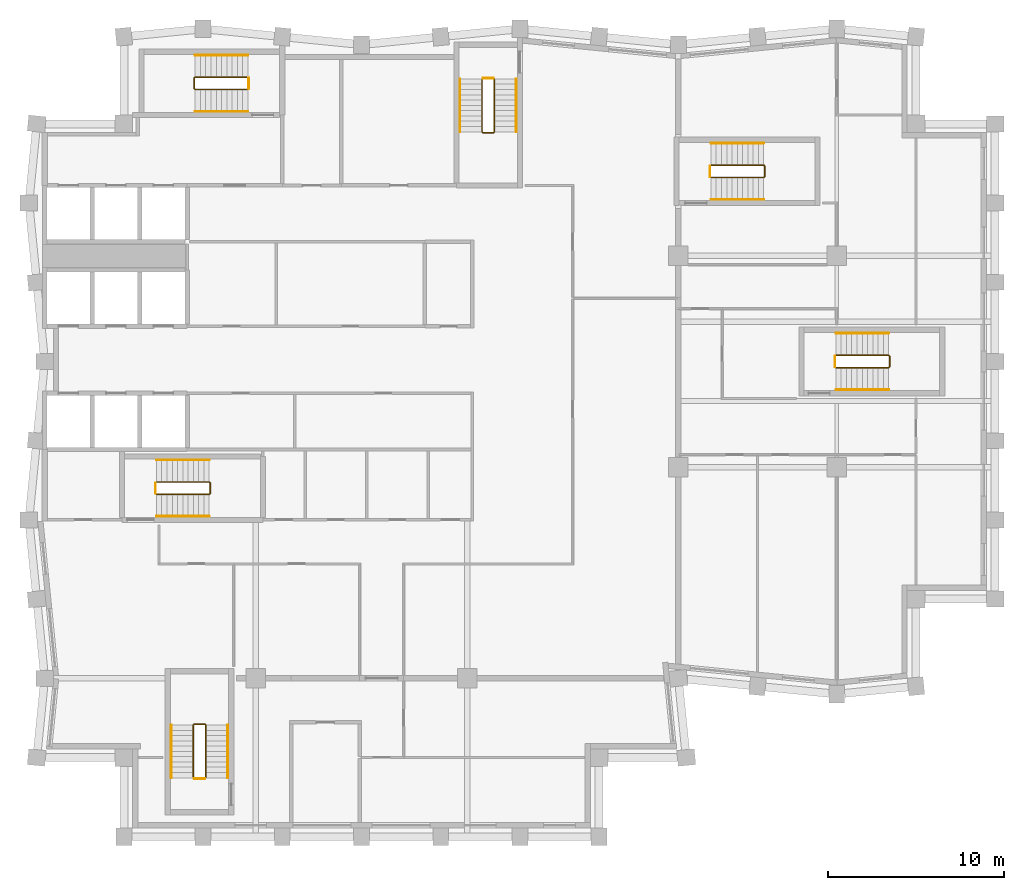
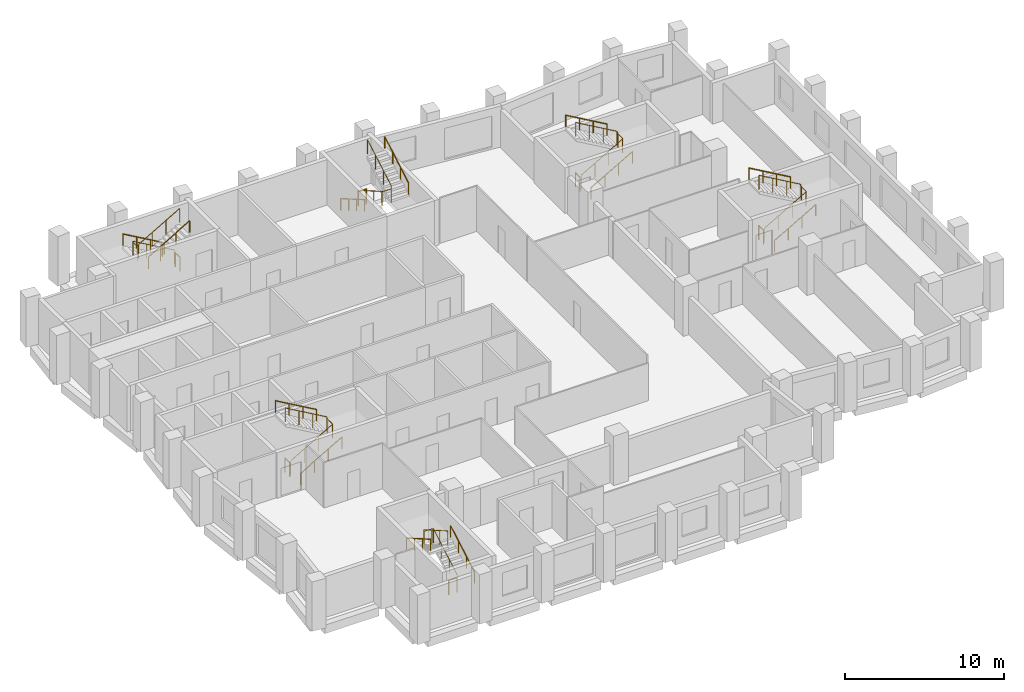
# One storey, part 8 of 8: 24 railings.
"""IFC4 building model written with IfcOpenShell, lengths in metres."""

from ifc_helpers import new_model, si_unit, direction, frame, origin, origin_2d, place, context, subcontext, project, spatial, circle, extrude, material, type_object, element, save


model = new_model("IFC4")

# Units and contexts
model_context = context("Model", 3, precision=1e-05, world=origin(), true_north=direction((0.0, 1.0)))
body_context = subcontext(model_context, "Body", "Model", "MODEL_VIEW")
ifc_project = project(units=[si_unit("LENGTHUNIT", "METRE"), si_unit("AREAUNIT", "SQUARE_METRE"), si_unit("VOLUMEUNIT", "CUBIC_METRE"), si_unit("PLANEANGLEUNIT", "RADIAN"), si_unit("MASSUNIT", "GRAM", prefix="KILO")], contexts=[model_context])

# Site, building, storey
site_placement = place(None, origin())
site = spatial("IfcSite", under=ifc_project, at=site_placement, CompositionType="ELEMENT")
building_placement = place(site_placement, origin())
building = spatial("IfcBuilding", under=site, at=building_placement, Name="Brondeck Convention Tower", CompositionType="ELEMENT")
storey_placement = place(building_placement, frame((0.0, 0.0, 221.60009765625)))
storey = spatial("IfcBuildingStorey", under=building, at=storey_placement, Name="L54", CompositionType="ELEMENT", Elevation=221.60009765625)

# Railings
ifc_material = material(Name="Steel S355", Category="steel")
railing_type_1 = type_object("IfcRailingType", Name="Stair guard 1100", PredefinedType="GUARDRAIL", material=ifc_material)
railing_1_placement = place(storey_placement, frame((6.35009765625, 37.449951171875, 0.172607421875)))
element("IfcRailing", 1, at=railing_1_placement, inside=storey, type_object=railing_type_1, Name="L54 ST-1 stair guard 1", PredefinedType="GUARDRAIL", context=body_context, shape_type="SweptSolid", body=[
    extrude(circle(Radius=0.02392578125, at=origin_2d()), frame((0.0, 0.0, 1.076171875), z_axis=(0.866619684472, 0.0, 0.498969260062), x_axis=(0.0, 1.0, 0.0)), (0.0, 0.0, 1.0), 3.461669921875),
    extrude(circle(Radius=0.02392578125, at=origin_2d()), frame((3.0, 0.0, 2.80322265625), z_axis=(0.705375805398, 0.708833529934, 0.0), x_axis=(-0.708833529934, 0.705375805398, 0.0)), (0.0, 0.0, 1.0), 0.070556640625),
    extrude(circle(Radius=0.02392578125, at=origin_2d()), frame((3.0498046875, 0.050048828125, 2.80322265625), z_axis=(0.0, 1.0, 0.0), x_axis=(-1.0, 0.0, 0.0)), (0.0, 0.0, 1.0), 0.60009765625),
    extrude(circle(Radius=0.02392578125, at=origin_2d()), frame((3.0498046875, 0.650146484375, 2.80322265625), z_axis=(-0.26715648603, 0.26715648603, 0.925880566782), x_axis=(-0.707106781187, -0.707106781187, 0.0)), (0.0, 0.0, 1.0), 0.1865234375),
    extrude(circle(Radius=0.02392578125, at=origin_2d()), frame((3.0, 0.699951171875, 2.97607421875), z_axis=(-0.866619684472, 0.0, 0.498969260062), x_axis=(0.0, -1.0, 0.0)), (0.0, 0.0, 1.0), 3.461669921875),
    extrude(circle(Radius=0.02099609375, at=origin_2d()), origin(), (0.0, 0.0, 1.0), 1.052001953125),
    extrude(circle(Radius=0.02099609375, at=origin_2d()), frame((1.0, 0.0, 0.57568359375)), (0.0, 0.0, 1.0), 1.052001953125),
    extrude(circle(Radius=0.02099609375, at=origin_2d()), frame((2.0, 0.0, 1.151611328125)), (0.0, 0.0, 1.0), 1.052001953125),
    extrude(circle(Radius=0.02099609375, at=origin_2d()), frame((3.0, 0.0, 1.727294921875)), (0.0, 0.0, 1.0), 1.052001953125),
    extrude(circle(Radius=0.02099609375, at=origin_2d()), frame((3.0498046875, 0.050048828125, 1.727294921875)), (0.0, 0.0, 1.0), 1.052001953125),
    extrude(circle(Radius=0.02099609375, at=origin_2d()), frame((3.0498046875, 0.650146484375, 1.727294921875)), (0.0, 0.0, 1.0), 1.052001953125),
    extrude(circle(Radius=0.02099609375, at=origin_2d()), frame((3.0, 0.699951171875, 1.89990234375)), (0.0, 0.0, 1.0), 1.052001953125),
    extrude(circle(Radius=0.02099609375, at=origin_2d()), frame((2.0, 0.699951171875, 2.4755859375)), (0.0, 0.0, 1.0), 1.052001953125),
    extrude(circle(Radius=0.02099609375, at=origin_2d()), frame((1.0, 0.699951171875, 3.051513671875)), (0.0, 0.0, 1.0), 1.052001953125),
    extrude(circle(Radius=0.02099609375, at=origin_2d()), frame((0.0, 0.699951171875, 3.627197265625)), (0.0, 0.0, 1.0), 1.052001953125),
])
railing_2_placement = place(storey_placement, frame((6.300048828125, 37.5, 0.0)))
element("IfcRailing", 2, at=railing_2_placement, inside=storey, type_object=railing_type_1, Name="L54 ST-1 stair guard 2", PredefinedType="GUARDRAIL", context=body_context, shape_type="SweptSolid", body=[
    extrude(circle(Radius=0.02392578125, at=origin_2d()), frame((0.0, 0.0, 1.076171875), z_axis=(0.0, 1.0, 0.0), x_axis=(-1.0, 0.0, 0.0)), (0.0, 0.0, 1.0), 0.60009765625),
    extrude(circle(Radius=0.02099609375, at=origin_2d()), origin(), (0.0, 0.0, 1.0), 1.052001953125),
    extrude(circle(Radius=0.02099609375, at=origin_2d()), frame((0.0, 0.60009765625, 0.0)), (0.0, 0.0, 1.0), 1.052001953125),
])
railing_3_placement = place(storey_placement, frame((24.85009765625, 61.050048828125, 0.172607421875)))
element("IfcRailing", 3, at=railing_3_placement, inside=storey, type_object=railing_type_1, Name="L54 ST-2 stair guard 1", PredefinedType="GUARDRAIL", context=body_context, shape_type="SweptSolid", body=[
    extrude(circle(Radius=0.02392578125, at=origin_2d()), frame((0.0, 0.0, 1.076171875), z_axis=(0.0, -0.866619684472, 0.498969260062), x_axis=(1.0, 0.0, 0.0)), (0.0, 0.0, 1.0), 3.461669921875),
    extrude(circle(Radius=0.02392578125, at=origin_2d()), frame((0.0, -3.0, 2.80322265625), z_axis=(0.705375805398, -0.708833529934, 0.0), x_axis=(0.708833529934, 0.705375805398, 0.0)), (0.0, 0.0, 1.0), 0.070556640625),
    extrude(circle(Radius=0.02392578125, at=origin_2d()), frame((0.0498046875, -3.050048828125, 2.80322265625), z_axis=(1.0, 0.0, 0.0), x_axis=(0.0, 1.0, 0.0)), (0.0, 0.0, 1.0), 0.60009765625),
    extrude(circle(Radius=0.02392578125, at=origin_2d()), frame((0.64990234375, -3.050048828125, 2.80322265625), z_axis=(0.268277960024, 0.268277960024, 0.925231793839), x_axis=(-0.707106781187, 0.707106781187, 0.0)), (0.0, 0.0, 1.0), 0.1865234375),
    extrude(circle(Radius=0.02392578125, at=origin_2d()), frame((0.699951171875, -3.0, 2.97607421875), z_axis=(0.0, 0.866619684472, 0.498969260062), x_axis=(-1.0, 0.0, 0.0)), (0.0, 0.0, 1.0), 3.461669921875),
    extrude(circle(Radius=0.02099609375, at=origin_2d()), origin(), (0.0, 0.0, 1.0), 1.052001953125),
    extrude(circle(Radius=0.02099609375, at=origin_2d()), frame((0.0, -1.0, 0.57568359375)), (0.0, 0.0, 1.0), 1.052001953125),
    extrude(circle(Radius=0.02099609375, at=origin_2d()), frame((0.0, -2.0, 1.151611328125)), (0.0, 0.0, 1.0), 1.052001953125),
    extrude(circle(Radius=0.02099609375, at=origin_2d()), frame((0.0, -3.0, 1.727294921875)), (0.0, 0.0, 1.0), 1.052001953125),
    extrude(circle(Radius=0.02099609375, at=origin_2d()), frame((0.0498046875, -3.050048828125, 1.727294921875)), (0.0, 0.0, 1.0), 1.052001953125),
    extrude(circle(Radius=0.02099609375, at=origin_2d()), frame((0.64990234375, -3.050048828125, 1.727294921875)), (0.0, 0.0, 1.0), 1.052001953125),
    extrude(circle(Radius=0.02099609375, at=origin_2d()), frame((0.699951171875, -3.0, 1.89990234375)), (0.0, 0.0, 1.0), 1.052001953125),
    extrude(circle(Radius=0.02099609375, at=origin_2d()), frame((0.699951171875, -2.0, 2.4755859375)), (0.0, 0.0, 1.0), 1.052001953125),
    extrude(circle(Radius=0.02099609375, at=origin_2d()), frame((0.699951171875, -1.0, 3.051513671875)), (0.0, 0.0, 1.0), 1.052001953125),
    extrude(circle(Radius=0.02099609375, at=origin_2d()), frame((0.699951171875, 0.0, 3.627197265625)), (0.0, 0.0, 1.0), 1.052001953125),
])
railing_4_placement = place(storey_placement, frame((24.89990234375, 61.10009765625, 0.0)))
element("IfcRailing", 4, at=railing_4_placement, inside=storey, type_object=railing_type_1, Name="L54 ST-2 stair guard 2", PredefinedType="GUARDRAIL", context=body_context, shape_type="SweptSolid", body=[
    extrude(circle(Radius=0.02392578125, at=origin_2d()), frame((0.0, 0.0, 1.076171875), z_axis=(1.0, 0.0, 0.0), x_axis=(0.0, 1.0, 0.0)), (0.0, 0.0, 1.0), 0.60009765625),
    extrude(circle(Radius=0.02099609375, at=origin_2d()), origin(), (0.0, 0.0, 1.0), 1.052001953125),
    extrude(circle(Radius=0.02099609375, at=origin_2d()), frame((0.60009765625, 0.0, 0.0)), (0.0, 0.0, 1.0), 1.052001953125),
])
railing_5_placement = place(storey_placement, frame((11.550048828125, 61.14990234375, 0.172607421875)))
element("IfcRailing", 5, at=railing_5_placement, inside=storey, type_object=railing_type_1, Name="L54 ST-3 stair guard 1", PredefinedType="GUARDRAIL", context=body_context, shape_type="SweptSolid", body=[
    extrude(circle(Radius=0.02392578125, at=origin_2d()), frame((0.0, 0.0, 1.076171875), z_axis=(-0.866619684472, 0.0, 0.498969260062), x_axis=(0.0, -1.0, 0.0)), (0.0, 0.0, 1.0), 3.461669921875),
    extrude(circle(Radius=0.02392578125, at=origin_2d()), frame((-3.0, 0.0, 2.80322265625), z_axis=(-0.708833529934, -0.705375805398, 0.0), x_axis=(0.705375805398, -0.708833529934, 0.0)), (0.0, 0.0, 1.0), 0.070556640625),
    extrude(circle(Radius=0.02392578125, at=origin_2d()), frame((-3.050048828125, -0.0498046875, 2.80322265625), z_axis=(0.0, -1.0, 0.0), x_axis=(1.0, 0.0, 0.0)), (0.0, 0.0, 1.0), 0.60009765625),
    extrude(circle(Radius=0.02392578125, at=origin_2d()), frame((-3.050048828125, -0.64990234375, 2.80322265625), z_axis=(0.268277960024, -0.268277960024, 0.925231793839), x_axis=(0.707106781187, 0.707106781187, 0.0)), (0.0, 0.0, 1.0), 0.1865234375),
    extrude(circle(Radius=0.02392578125, at=origin_2d()), frame((-3.0, -0.699951171875, 2.97607421875), z_axis=(0.866619684472, 0.0, 0.498969260062), x_axis=(0.0, 1.0, 0.0)), (0.0, 0.0, 1.0), 3.461669921875),
    extrude(circle(Radius=0.02099609375, at=origin_2d()), origin(), (0.0, 0.0, 1.0), 1.052001953125),
    extrude(circle(Radius=0.02099609375, at=origin_2d()), frame((-1.0, 0.0, 0.57568359375)), (0.0, 0.0, 1.0), 1.052001953125),
    extrude(circle(Radius=0.02099609375, at=origin_2d()), frame((-2.0, 0.0, 1.151611328125)), (0.0, 0.0, 1.0), 1.052001953125),
    extrude(circle(Radius=0.02099609375, at=origin_2d()), frame((-3.0, 0.0, 1.727294921875)), (0.0, 0.0, 1.0), 1.052001953125),
    extrude(circle(Radius=0.02099609375, at=origin_2d()), frame((-3.050048828125, -0.0498046875, 1.727294921875)), (0.0, 0.0, 1.0), 1.052001953125),
    extrude(circle(Radius=0.02099609375, at=origin_2d()), frame((-3.050048828125, -0.64990234375, 1.727294921875)), (0.0, 0.0, 1.0), 1.052001953125),
    extrude(circle(Radius=0.02099609375, at=origin_2d()), frame((-3.0, -0.699951171875, 1.89990234375)), (0.0, 0.0, 1.0), 1.052001953125),
    extrude(circle(Radius=0.02099609375, at=origin_2d()), frame((-2.0, -0.699951171875, 2.4755859375)), (0.0, 0.0, 1.0), 1.052001953125),
    extrude(circle(Radius=0.02099609375, at=origin_2d()), frame((-1.0, -0.699951171875, 3.051513671875)), (0.0, 0.0, 1.0), 1.052001953125),
    extrude(circle(Radius=0.02099609375, at=origin_2d()), frame((0.0, -0.699951171875, 3.627197265625)), (0.0, 0.0, 1.0), 1.052001953125),
])
railing_6_placement = place(storey_placement, frame((11.60009765625, 61.10009765625, 0.0)))
element("IfcRailing", 6, at=railing_6_placement, inside=storey, type_object=railing_type_1, Name="L54 ST-3 stair guard 2", PredefinedType="GUARDRAIL", context=body_context, shape_type="SweptSolid", body=[
    extrude(circle(Radius=0.02392578125, at=origin_2d()), frame((0.0, 0.0, 1.076171875), z_axis=(0.0, -1.0, 0.0), x_axis=(1.0, 0.0, 0.0)), (0.0, 0.0, 1.0), 0.60009765625),
    extrude(circle(Radius=0.02099609375, at=origin_2d()), origin(), (0.0, 0.0, 1.0), 1.052001953125),
    extrude(circle(Radius=0.02099609375, at=origin_2d()), frame((0.0, -0.60009765625, 0.0)), (0.0, 0.0, 1.0), 1.052001953125),
])
railing_7_placement = place(storey_placement, frame((37.85009765625, 55.449951171875, 0.172607421875)))
element("IfcRailing", 7, at=railing_7_placement, inside=storey, type_object=railing_type_1, Name="L54 ST-AE stair guard 1", PredefinedType="GUARDRAIL", context=body_context, shape_type="SweptSolid", body=[
    extrude(circle(Radius=0.02392578125, at=origin_2d()), frame((0.0, 0.0, 1.076171875), z_axis=(0.866619684472, 0.0, 0.498969260062), x_axis=(0.0, 1.0, 0.0)), (0.0, 0.0, 1.0), 3.461669921875),
    extrude(circle(Radius=0.02392578125, at=origin_2d()), frame((3.0, 0.0, 2.80322265625), z_axis=(0.705375805398, 0.708833529934, 0.0), x_axis=(-0.708833529934, 0.705375805398, 0.0)), (0.0, 0.0, 1.0), 0.070556640625),
    extrude(circle(Radius=0.02392578125, at=origin_2d()), frame((3.0498046875, 0.050048828125, 2.80322265625), z_axis=(0.0, 1.0, 0.0), x_axis=(-1.0, 0.0, 0.0)), (0.0, 0.0, 1.0), 0.60009765625),
    extrude(circle(Radius=0.02392578125, at=origin_2d()), frame((3.0498046875, 0.650146484375, 2.80322265625), z_axis=(-0.26715648603, 0.26715648603, 0.925880566782), x_axis=(-0.707106781187, -0.707106781187, 0.0)), (0.0, 0.0, 1.0), 0.1865234375),
    extrude(circle(Radius=0.02392578125, at=origin_2d()), frame((3.0, 0.699951171875, 2.97607421875), z_axis=(-0.866619684472, 0.0, 0.498969260062), x_axis=(0.0, -1.0, 0.0)), (0.0, 0.0, 1.0), 3.461669921875),
    extrude(circle(Radius=0.02099609375, at=origin_2d()), origin(), (0.0, 0.0, 1.0), 1.052001953125),
    extrude(circle(Radius=0.02099609375, at=origin_2d()), frame((1.0, 0.0, 0.57568359375)), (0.0, 0.0, 1.0), 1.052001953125),
    extrude(circle(Radius=0.02099609375, at=origin_2d()), frame((2.0, 0.0, 1.151611328125)), (0.0, 0.0, 1.0), 1.052001953125),
    extrude(circle(Radius=0.02099609375, at=origin_2d()), frame((3.0, 0.0, 1.727294921875)), (0.0, 0.0, 1.0), 1.052001953125),
    extrude(circle(Radius=0.02099609375, at=origin_2d()), frame((3.0498046875, 0.050048828125, 1.727294921875)), (0.0, 0.0, 1.0), 1.052001953125),
    extrude(circle(Radius=0.02099609375, at=origin_2d()), frame((3.0498046875, 0.650146484375, 1.727294921875)), (0.0, 0.0, 1.0), 1.052001953125),
    extrude(circle(Radius=0.02099609375, at=origin_2d()), frame((3.0, 0.699951171875, 1.89990234375)), (0.0, 0.0, 1.0), 1.052001953125),
    extrude(circle(Radius=0.02099609375, at=origin_2d()), frame((2.0, 0.699951171875, 2.4755859375)), (0.0, 0.0, 1.0), 1.052001953125),
    extrude(circle(Radius=0.02099609375, at=origin_2d()), frame((1.0, 0.699951171875, 3.051513671875)), (0.0, 0.0, 1.0), 1.052001953125),
    extrude(circle(Radius=0.02099609375, at=origin_2d()), frame((0.0, 0.699951171875, 3.627197265625)), (0.0, 0.0, 1.0), 1.052001953125),
])
railing_8_placement = place(storey_placement, frame((37.800048828125, 55.5, 0.0)))
element("IfcRailing", 8, at=railing_8_placement, inside=storey, type_object=railing_type_1, Name="L54 ST-AE stair guard 2", PredefinedType="GUARDRAIL", context=body_context, shape_type="SweptSolid", body=[
    extrude(circle(Radius=0.02392578125, at=origin_2d()), frame((0.0, 0.0, 1.076171875), z_axis=(0.0, 1.0, 0.0), x_axis=(-1.0, 0.0, 0.0)), (0.0, 0.0, 1.0), 0.60009765625),
    extrude(circle(Radius=0.02099609375, at=origin_2d()), origin(), (0.0, 0.0, 1.0), 1.052001953125),
    extrude(circle(Radius=0.02099609375, at=origin_2d()), frame((0.0, 0.60009765625, 0.0)), (0.0, 0.0, 1.0), 1.052001953125),
])
railing_9_placement = place(storey_placement, frame((9.14990234375, 21.35009765625, 0.172607421875)))
element("IfcRailing", 9, at=railing_9_placement, inside=storey, type_object=railing_type_1, Name="L54 ST-BE stair guard 1", PredefinedType="GUARDRAIL", context=body_context, shape_type="SweptSolid", body=[
    extrude(circle(Radius=0.02392578125, at=origin_2d()), frame((0.0, 0.0, 1.076171875), z_axis=(0.0, 0.866619684472, 0.498969260062), x_axis=(-1.0, 0.0, 0.0)), (0.0, 0.0, 1.0), 3.461669921875),
    extrude(circle(Radius=0.02392578125, at=origin_2d()), frame((0.0, 3.0, 2.80322265625), z_axis=(-0.707106781187, 0.707106781187, 0.0), x_axis=(-0.707106781187, -0.707106781187, 0.0)), (0.0, 0.0, 1.0), 0.0703125),
    extrude(circle(Radius=0.02392578125, at=origin_2d()), frame((-0.0498046875, 3.0498046875, 2.80322265625), z_axis=(-1.0, 0.0, 0.0), x_axis=(0.0, -1.0, 0.0)), (0.0, 0.0, 1.0), 0.60009765625),
    extrude(circle(Radius=0.02392578125, at=origin_2d()), frame((-0.64990234375, 3.0498046875, 2.80322265625), z_axis=(-0.268371968888, -0.267062837333, 0.925556009775), x_axis=(0.705375805398, -0.708833529934, 0.0)), (0.0, 0.0, 1.0), 0.1865234375),
    extrude(circle(Radius=0.02392578125, at=origin_2d()), frame((-0.699951171875, 3.0, 2.97607421875), z_axis=(0.0, -0.866619684472, 0.498969260062), x_axis=(1.0, 0.0, 0.0)), (0.0, 0.0, 1.0), 3.461669921875),
    extrude(circle(Radius=0.02099609375, at=origin_2d()), origin(), (0.0, 0.0, 1.0), 1.052001953125),
    extrude(circle(Radius=0.02099609375, at=origin_2d()), frame((0.0, 1.0, 0.57568359375)), (0.0, 0.0, 1.0), 1.052001953125),
    extrude(circle(Radius=0.02099609375, at=origin_2d()), frame((0.0, 2.0, 1.151611328125)), (0.0, 0.0, 1.0), 1.052001953125),
    extrude(circle(Radius=0.02099609375, at=origin_2d()), frame((0.0, 3.0, 1.727294921875)), (0.0, 0.0, 1.0), 1.052001953125),
    extrude(circle(Radius=0.02099609375, at=origin_2d()), frame((-0.0498046875, 3.0498046875, 1.727294921875)), (0.0, 0.0, 1.0), 1.052001953125),
    extrude(circle(Radius=0.02099609375, at=origin_2d()), frame((-0.64990234375, 3.0498046875, 1.727294921875)), (0.0, 0.0, 1.0), 1.052001953125),
    extrude(circle(Radius=0.02099609375, at=origin_2d()), frame((-0.699951171875, 3.0, 1.89990234375)), (0.0, 0.0, 1.0), 1.052001953125),
    extrude(circle(Radius=0.02099609375, at=origin_2d()), frame((-0.699951171875, 2.0, 2.4755859375)), (0.0, 0.0, 1.0), 1.052001953125),
    extrude(circle(Radius=0.02099609375, at=origin_2d()), frame((-0.699951171875, 1.0, 3.051513671875)), (0.0, 0.0, 1.0), 1.052001953125),
    extrude(circle(Radius=0.02099609375, at=origin_2d()), frame((-0.699951171875, 0.0, 3.627197265625)), (0.0, 0.0, 1.0), 1.052001953125),
])
railing_10_placement = place(storey_placement, frame((9.10009765625, 21.300048828125, 0.0)))
element("IfcRailing", 10, at=railing_10_placement, inside=storey, type_object=railing_type_1, Name="L54 ST-BE stair guard 2", PredefinedType="GUARDRAIL", context=body_context, shape_type="SweptSolid", body=[
    extrude(circle(Radius=0.02392578125, at=origin_2d()), frame((0.0, 0.0, 1.076171875), z_axis=(-1.0, 0.0, 0.0), x_axis=(0.0, -1.0, 0.0)), (0.0, 0.0, 1.0), 0.60009765625),
    extrude(circle(Radius=0.02099609375, at=origin_2d()), origin(), (0.0, 0.0, 1.0), 1.052001953125),
    extrude(circle(Radius=0.02099609375, at=origin_2d()), frame((-0.60009765625, 0.0, 0.0)), (0.0, 0.0, 1.0), 1.052001953125),
])
railing_11_placement = place(storey_placement, frame((44.949951171875, 44.64990234375, 0.172607421875)))
element("IfcRailing", 11, at=railing_11_placement, inside=storey, type_object=railing_type_1, Name="L54 ST-AF stair guard 1", PredefinedType="GUARDRAIL", context=body_context, shape_type="SweptSolid", body=[
    extrude(circle(Radius=0.02392578125, at=origin_2d()), frame((0.0, 0.0, 1.076171875), z_axis=(0.866619684472, 0.0, 0.498969260062), x_axis=(0.0, 1.0, 0.0)), (0.0, 0.0, 1.0), 3.461669921875),
    extrude(circle(Radius=0.02392578125, at=origin_2d()), frame((3.0, 0.0, 2.80322265625), z_axis=(0.707106781187, 0.707106781187, 0.0), x_axis=(-0.707106781187, 0.707106781187, 0.0)), (0.0, 0.0, 1.0), 0.07080078125),
    extrude(circle(Radius=0.02392578125, at=origin_2d()), frame((3.050048828125, 0.050048828125, 2.80322265625), z_axis=(0.0, 1.0, 0.0), x_axis=(-1.0, 0.0, 0.0)), (0.0, 0.0, 1.0), 0.60009765625),
    extrude(circle(Radius=0.02392578125, at=origin_2d()), frame((3.050048828125, 0.650146484375, 2.80322265625), z_axis=(-0.268277960024, 0.268277960024, 0.925231793839), x_axis=(-0.707106781187, -0.707106781187, 0.0)), (0.0, 0.0, 1.0), 0.1865234375),
    extrude(circle(Radius=0.02392578125, at=origin_2d()), frame((3.0, 0.7001953125, 2.97607421875), z_axis=(-0.866619684472, 0.0, 0.498969260062), x_axis=(0.0, -1.0, 0.0)), (0.0, 0.0, 1.0), 3.461669921875),
    extrude(circle(Radius=0.02099609375, at=origin_2d()), origin(), (0.0, 0.0, 1.0), 1.052001953125),
    extrude(circle(Radius=0.02099609375, at=origin_2d()), frame((1.0, 0.0, 0.57568359375)), (0.0, 0.0, 1.0), 1.052001953125),
    extrude(circle(Radius=0.02099609375, at=origin_2d()), frame((2.0, 0.0, 1.151611328125)), (0.0, 0.0, 1.0), 1.052001953125),
    extrude(circle(Radius=0.02099609375, at=origin_2d()), frame((3.0, 0.0, 1.727294921875)), (0.0, 0.0, 1.0), 1.052001953125),
    extrude(circle(Radius=0.02099609375, at=origin_2d()), frame((3.050048828125, 0.050048828125, 1.727294921875)), (0.0, 0.0, 1.0), 1.052001953125),
    extrude(circle(Radius=0.02099609375, at=origin_2d()), frame((3.050048828125, 0.650146484375, 1.727294921875)), (0.0, 0.0, 1.0), 1.052001953125),
    extrude(circle(Radius=0.02099609375, at=origin_2d()), frame((3.0, 0.7001953125, 1.89990234375)), (0.0, 0.0, 1.0), 1.052001953125),
    extrude(circle(Radius=0.02099609375, at=origin_2d()), frame((2.0, 0.7001953125, 2.4755859375)), (0.0, 0.0, 1.0), 1.052001953125),
    extrude(circle(Radius=0.02099609375, at=origin_2d()), frame((1.0, 0.7001953125, 3.051513671875)), (0.0, 0.0, 1.0), 1.052001953125),
    extrude(circle(Radius=0.02099609375, at=origin_2d()), frame((0.0, 0.7001953125, 3.627197265625)), (0.0, 0.0, 1.0), 1.052001953125),
])
railing_12_placement = place(storey_placement, frame((44.89990234375, 44.699951171875, 0.0)))
element("IfcRailing", 12, at=railing_12_placement, inside=storey, type_object=railing_type_1, Name="L54 ST-AF stair guard 2", PredefinedType="GUARDRAIL", context=body_context, shape_type="SweptSolid", body=[
    extrude(circle(Radius=0.02392578125, at=origin_2d()), frame((0.0, 0.0, 1.076171875), z_axis=(0.0, 1.0, 0.0), x_axis=(-1.0, 0.0, 0.0)), (0.0, 0.0, 1.0), 0.60009765625),
    extrude(circle(Radius=0.02099609375, at=origin_2d()), origin(), (0.0, 0.0, 1.0), 1.052001953125),
    extrude(circle(Radius=0.02099609375, at=origin_2d()), frame((0.0, 0.60009765625, 0.0)), (0.0, 0.0, 1.0), 1.052001953125),
])
railing_type_2 = type_object("IfcRailingType", Name="Stair handrail", PredefinedType="HANDRAIL", material=ifc_material)
railing_13_placement = place(storey_placement, frame((6.35009765625, 36.199951171875, 0.172607421875)))
element("IfcRailing", 13, at=railing_13_placement, inside=storey, type_object=railing_type_2, Name="L54 ST-1 stair handrail 1", PredefinedType="HANDRAIL", context=body_context, shape_type="SweptSolid", body=[
    extrude(circle(Radius=0.02392578125, at=origin_2d()), frame((0.0, 0.0, 0.8759765625), z_axis=(0.866619684472, 0.0, 0.498969260062), x_axis=(0.0, 1.0, 0.0)), (0.0, 0.0, 1.0), 3.461669921875),
    extrude(circle(Radius=0.02099609375, at=origin_2d()), origin(), (0.0, 0.0, 1.0), 0.851806640625),
    extrude(circle(Radius=0.02099609375, at=origin_2d()), frame((1.0, 0.0, 0.57568359375)), (0.0, 0.0, 1.0), 0.851806640625),
    extrude(circle(Radius=0.02099609375, at=origin_2d()), frame((2.0, 0.0, 1.151611328125)), (0.0, 0.0, 1.0), 0.851806640625),
    extrude(circle(Radius=0.02099609375, at=origin_2d()), frame((3.0, 0.0, 1.727294921875)), (0.0, 0.0, 1.0), 0.851806640625),
])
railing_14_placement = place(storey_placement, frame((9.35009765625, 39.39990234375, 2.072509765625)))
element("IfcRailing", 14, at=railing_14_placement, inside=storey, type_object=railing_type_2, Name="L54 ST-1 stair handrail 2", PredefinedType="HANDRAIL", context=body_context, shape_type="SweptSolid", body=[
    extrude(circle(Radius=0.02392578125, at=origin_2d()), frame((0.0, 0.0, 0.8759765625), z_axis=(-0.866619684472, 0.0, 0.498969260062), x_axis=(0.0, -1.0, 0.0)), (0.0, 0.0, 1.0), 3.461669921875),
    extrude(circle(Radius=0.02099609375, at=origin_2d()), origin(), (0.0, 0.0, 1.0), 0.851806640625),
    extrude(circle(Radius=0.02099609375, at=origin_2d()), frame((-1.0, 0.0, 0.57568359375)), (0.0, 0.0, 1.0), 0.851806640625),
    extrude(circle(Radius=0.02099609375, at=origin_2d()), frame((-2.0, 0.0, 1.151611328125)), (0.0, 0.0, 1.0), 0.851806640625),
    extrude(circle(Radius=0.02099609375, at=origin_2d()), frame((-3.0, 0.0, 1.727294921875)), (0.0, 0.0, 1.0), 0.851806640625),
])
railing_15_placement = place(storey_placement, frame((23.60009765625, 61.050048828125, 0.172607421875)))
element("IfcRailing", 15, at=railing_15_placement, inside=storey, type_object=railing_type_2, Name="L54 ST-2 stair handrail 1", PredefinedType="HANDRAIL", context=body_context, shape_type="SweptSolid", body=[
    extrude(circle(Radius=0.02392578125, at=origin_2d()), frame((0.0, 0.0, 0.8759765625), z_axis=(0.0, -0.866619684472, 0.498969260062), x_axis=(1.0, 0.0, 0.0)), (0.0, 0.0, 1.0), 3.461669921875),
    extrude(circle(Radius=0.02099609375, at=origin_2d()), origin(), (0.0, 0.0, 1.0), 0.851806640625),
    extrude(circle(Radius=0.02099609375, at=origin_2d()), frame((0.0, -1.0, 0.57568359375)), (0.0, 0.0, 1.0), 0.851806640625),
    extrude(circle(Radius=0.02099609375, at=origin_2d()), frame((0.0, -2.0, 1.151611328125)), (0.0, 0.0, 1.0), 0.851806640625),
    extrude(circle(Radius=0.02099609375, at=origin_2d()), frame((0.0, -3.0, 1.727294921875)), (0.0, 0.0, 1.0), 0.851806640625),
])
railing_16_placement = place(storey_placement, frame((26.800048828125, 58.050048828125, 2.072509765625)))
element("IfcRailing", 16, at=railing_16_placement, inside=storey, type_object=railing_type_2, Name="L54 ST-2 stair handrail 2", PredefinedType="HANDRAIL", context=body_context, shape_type="SweptSolid", body=[
    extrude(circle(Radius=0.02392578125, at=origin_2d()), frame((0.0, 0.0, 0.8759765625), z_axis=(0.0, 0.866619684472, 0.498969260062), x_axis=(-1.0, 0.0, 0.0)), (0.0, 0.0, 1.0), 3.461669921875),
    extrude(circle(Radius=0.02099609375, at=origin_2d()), origin(), (0.0, 0.0, 1.0), 0.851806640625),
    extrude(circle(Radius=0.02099609375, at=origin_2d()), frame((0.0, 1.0, 0.57568359375)), (0.0, 0.0, 1.0), 0.851806640625),
    extrude(circle(Radius=0.02099609375, at=origin_2d()), frame((0.0, 2.0, 1.151611328125)), (0.0, 0.0, 1.0), 0.851806640625),
    extrude(circle(Radius=0.02099609375, at=origin_2d()), frame((0.0, 3.0, 1.727294921875)), (0.0, 0.0, 1.0), 0.851806640625),
])
railing_17_placement = place(storey_placement, frame((11.550048828125, 62.39990234375, 0.172607421875)))
element("IfcRailing", 17, at=railing_17_placement, inside=storey, type_object=railing_type_2, Name="L54 ST-3 stair handrail 1", PredefinedType="HANDRAIL", context=body_context, shape_type="SweptSolid", body=[
    extrude(circle(Radius=0.02392578125, at=origin_2d()), frame((0.0, 0.0, 0.8759765625), z_axis=(-0.866619684472, 0.0, 0.498969260062), x_axis=(0.0, -1.0, 0.0)), (0.0, 0.0, 1.0), 3.461669921875),
    extrude(circle(Radius=0.02099609375, at=origin_2d()), origin(), (0.0, 0.0, 1.0), 0.851806640625),
    extrude(circle(Radius=0.02099609375, at=origin_2d()), frame((-1.0, 0.0, 0.57568359375)), (0.0, 0.0, 1.0), 0.851806640625),
    extrude(circle(Radius=0.02099609375, at=origin_2d()), frame((-2.0, 0.0, 1.151611328125)), (0.0, 0.0, 1.0), 0.851806640625),
    extrude(circle(Radius=0.02099609375, at=origin_2d()), frame((-3.0, 0.0, 1.727294921875)), (0.0, 0.0, 1.0), 0.851806640625),
])
for number, where, name in (
    (18, (8.550048828125, 59.199951171875, 2.072509765625), "L54 ST-3 stair handrail 2"),
    (19, (37.85009765625, 54.199951171875, 0.172607421875), "L54 ST-AE stair handrail 1"),
):
    element("IfcRailing", number, at=place(storey_placement, frame(where)), inside=storey, type_object=railing_type_2, Name=name, PredefinedType="HANDRAIL", context=body_context, shape_type="SweptSolid", body=[
        extrude(circle(Radius=0.02392578125, at=origin_2d()), frame((0.0, 0.0, 0.8759765625), z_axis=(0.866619684472, 0.0, 0.498969260062), x_axis=(0.0, 1.0, 0.0)), (0.0, 0.0, 1.0), 3.461669921875),
        extrude(circle(Radius=0.02099609375, at=origin_2d()), origin(), (0.0, 0.0, 1.0), 0.851806640625),
        extrude(circle(Radius=0.02099609375, at=origin_2d()), frame((1.0, 0.0, 0.57568359375)), (0.0, 0.0, 1.0), 0.851806640625),
        extrude(circle(Radius=0.02099609375, at=origin_2d()), frame((2.0, 0.0, 1.151611328125)), (0.0, 0.0, 1.0), 0.851806640625),
        extrude(circle(Radius=0.02099609375, at=origin_2d()), frame((3.0, 0.0, 1.727294921875)), (0.0, 0.0, 1.0), 0.851806640625),
    ])
railing_18_placement = place(storey_placement, frame((40.85009765625, 57.39990234375, 2.072509765625)))
element("IfcRailing", 20, at=railing_18_placement, inside=storey, type_object=railing_type_2, Name="L54 ST-AE stair handrail 2", PredefinedType="HANDRAIL", context=body_context, shape_type="SweptSolid", body=[
    extrude(circle(Radius=0.02392578125, at=origin_2d()), frame((0.0, 0.0, 0.8759765625), z_axis=(-0.866619684472, 0.0, 0.498969260062), x_axis=(0.0, -1.0, 0.0)), (0.0, 0.0, 1.0), 3.461669921875),
    extrude(circle(Radius=0.02099609375, at=origin_2d()), origin(), (0.0, 0.0, 1.0), 0.851806640625),
    extrude(circle(Radius=0.02099609375, at=origin_2d()), frame((-1.0, 0.0, 0.57568359375)), (0.0, 0.0, 1.0), 0.851806640625),
    extrude(circle(Radius=0.02099609375, at=origin_2d()), frame((-2.0, 0.0, 1.151611328125)), (0.0, 0.0, 1.0), 0.851806640625),
    extrude(circle(Radius=0.02099609375, at=origin_2d()), frame((-3.0, 0.0, 1.727294921875)), (0.0, 0.0, 1.0), 0.851806640625),
])
railing_19_placement = place(storey_placement, frame((10.39990234375, 21.35009765625, 0.172607421875)))
element("IfcRailing", 21, at=railing_19_placement, inside=storey, type_object=railing_type_2, Name="L54 ST-BE stair handrail 1", PredefinedType="HANDRAIL", context=body_context, shape_type="SweptSolid", body=[
    extrude(circle(Radius=0.02392578125, at=origin_2d()), frame((0.0, 0.0, 0.8759765625), z_axis=(0.0, 0.866619684472, 0.498969260062), x_axis=(-1.0, 0.0, 0.0)), (0.0, 0.0, 1.0), 3.461669921875),
    extrude(circle(Radius=0.02099609375, at=origin_2d()), origin(), (0.0, 0.0, 1.0), 0.851806640625),
    extrude(circle(Radius=0.02099609375, at=origin_2d()), frame((0.0, 1.0, 0.57568359375)), (0.0, 0.0, 1.0), 0.851806640625),
    extrude(circle(Radius=0.02099609375, at=origin_2d()), frame((0.0, 2.0, 1.151611328125)), (0.0, 0.0, 1.0), 0.851806640625),
    extrude(circle(Radius=0.02099609375, at=origin_2d()), frame((0.0, 3.0, 1.727294921875)), (0.0, 0.0, 1.0), 0.851806640625),
])
railing_20_placement = place(storey_placement, frame((7.199951171875, 24.35009765625, 2.072509765625)))
element("IfcRailing", 22, at=railing_20_placement, inside=storey, type_object=railing_type_2, Name="L54 ST-BE stair handrail 2", PredefinedType="HANDRAIL", context=body_context, shape_type="SweptSolid", body=[
    extrude(circle(Radius=0.02392578125, at=origin_2d()), frame((0.0, 0.0, 0.8759765625), z_axis=(0.0, -0.866619684472, 0.498969260062), x_axis=(1.0, 0.0, 0.0)), (0.0, 0.0, 1.0), 3.461669921875),
    extrude(circle(Radius=0.02099609375, at=origin_2d()), origin(), (0.0, 0.0, 1.0), 0.851806640625),
    extrude(circle(Radius=0.02099609375, at=origin_2d()), frame((0.0, -1.0, 0.57568359375)), (0.0, 0.0, 1.0), 0.851806640625),
    extrude(circle(Radius=0.02099609375, at=origin_2d()), frame((0.0, -2.0, 1.151611328125)), (0.0, 0.0, 1.0), 0.851806640625),
    extrude(circle(Radius=0.02099609375, at=origin_2d()), frame((0.0, -3.0, 1.727294921875)), (0.0, 0.0, 1.0), 0.851806640625),
])
railing_21_placement = place(storey_placement, frame((44.949951171875, 43.39990234375, 0.172607421875)))
element("IfcRailing", 23, at=railing_21_placement, inside=storey, type_object=railing_type_2, Name="L54 ST-AF stair handrail 1", PredefinedType="HANDRAIL", context=body_context, shape_type="SweptSolid", body=[
    extrude(circle(Radius=0.02392578125, at=origin_2d()), frame((0.0, 0.0, 0.8759765625), z_axis=(0.866619684472, 0.0, 0.498969260062), x_axis=(0.0, 1.0, 0.0)), (0.0, 0.0, 1.0), 3.461669921875),
    extrude(circle(Radius=0.02099609375, at=origin_2d()), origin(), (0.0, 0.0, 1.0), 0.851806640625),
    extrude(circle(Radius=0.02099609375, at=origin_2d()), frame((1.0, 0.0, 0.57568359375)), (0.0, 0.0, 1.0), 0.851806640625),
    extrude(circle(Radius=0.02099609375, at=origin_2d()), frame((2.0, 0.0, 1.151611328125)), (0.0, 0.0, 1.0), 0.851806640625),
    extrude(circle(Radius=0.02099609375, at=origin_2d()), frame((3.0, 0.0, 1.727294921875)), (0.0, 0.0, 1.0), 0.851806640625),
])
railing_22_placement = place(storey_placement, frame((47.949951171875, 46.60009765625, 2.072509765625)))
element("IfcRailing", 24, at=railing_22_placement, inside=storey, type_object=railing_type_2, Name="L54 ST-AF stair handrail 2", PredefinedType="HANDRAIL", context=body_context, shape_type="SweptSolid", body=[
    extrude(circle(Radius=0.02392578125, at=origin_2d()), frame((0.0, 0.0, 0.8759765625), z_axis=(-0.866619684472, 0.0, 0.498969260062), x_axis=(0.0, -1.0, 0.0)), (0.0, 0.0, 1.0), 3.461669921875),
    extrude(circle(Radius=0.02099609375, at=origin_2d()), origin(), (0.0, 0.0, 1.0), 0.851806640625),
    extrude(circle(Radius=0.02099609375, at=origin_2d()), frame((-1.0, 0.0, 0.57568359375)), (0.0, 0.0, 1.0), 0.851806640625),
    extrude(circle(Radius=0.02099609375, at=origin_2d()), frame((-2.0, 0.0, 1.151611328125)), (0.0, 0.0, 1.0), 0.851806640625),
    extrude(circle(Radius=0.02099609375, at=origin_2d()), frame((-3.0, 0.0, 1.727294921875)), (0.0, 0.0, 1.0), 0.851806640625),
])

save(model, "model.ifc")
